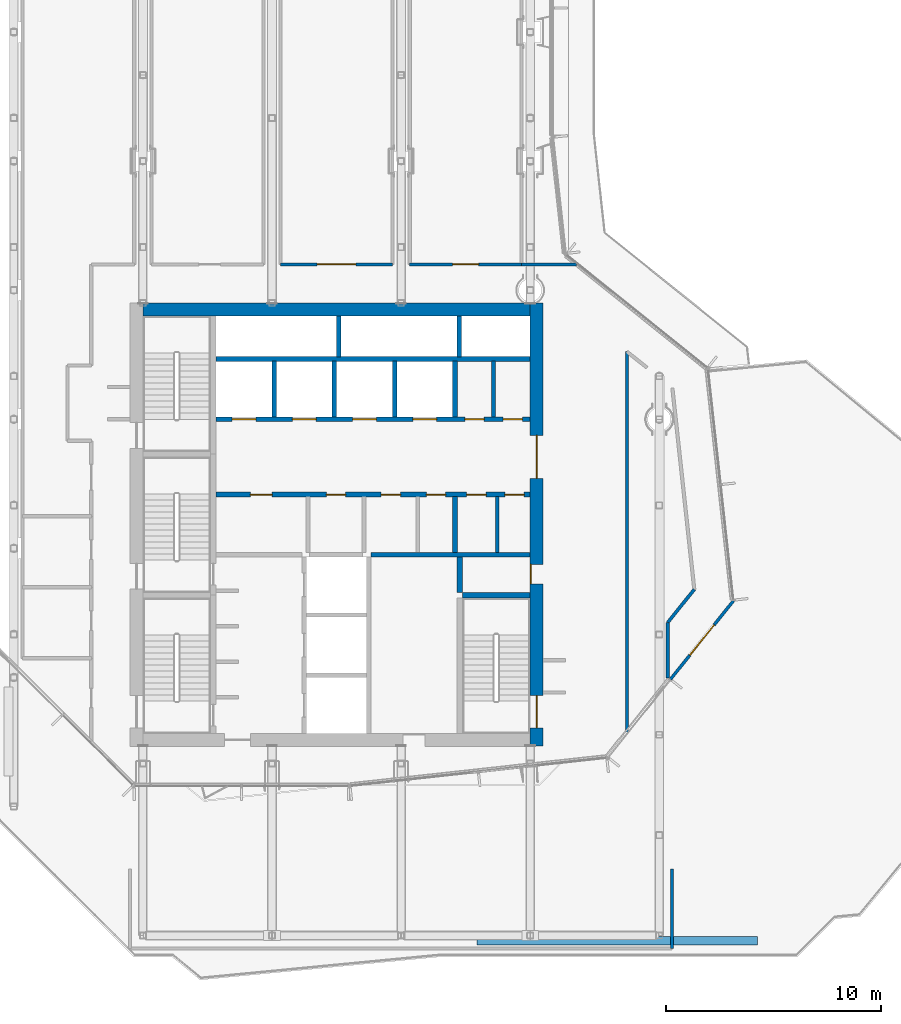
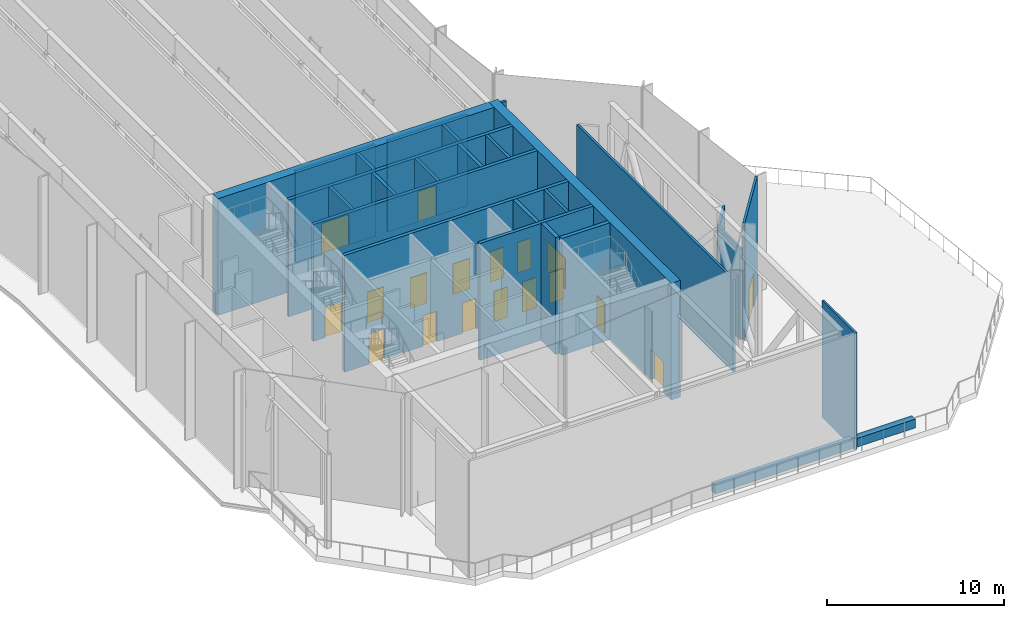
# One storey, part 13 of 22: 26 walls, 18 doors, 18 openings.
"""IFC4 building model written with IfcOpenShell, lengths in metres."""

from ifc_helpers import new_model, si_unit, direction, frame, frame_2d, origin, place, context, subcontext, project, spatial, rectangle, extrude, material, layer, layer_set, type_object, element, fill, save


model = new_model("IFC4")

# Units and contexts
model_context = context("Model", 3, precision=1e-05, world=origin(), true_north=direction((0.0, 1.0)))
body_context = subcontext(model_context, "Body", "Model", "MODEL_VIEW")
ifc_project = project(units=[si_unit("LENGTHUNIT", "METRE"), si_unit("AREAUNIT", "SQUARE_METRE"), si_unit("VOLUMEUNIT", "CUBIC_METRE"), si_unit("PLANEANGLEUNIT", "RADIAN"), si_unit("MASSUNIT", "GRAM", prefix="KILO")], contexts=[model_context])

# Site, building, storey
site_placement = place(None, origin())
site = spatial("IfcSite", under=ifc_project, at=site_placement, CompositionType="ELEMENT")
building_placement = place(site_placement, origin())
building = spatial("IfcBuilding", under=site, at=building_placement, Name="Welwitschia Terrace Campus", CompositionType="ELEMENT")
storey_placement = place(building_placement, frame((0.0, 0.0, 197.0)))
storey = spatial("IfcBuildingStorey", under=building, at=storey_placement, Name="L44", CompositionType="ELEMENT", Elevation=197.0)

# Wall, opening, door
ifc_material_1 = material(Name="Concrete C40/50", Category="concrete")
ifc_layer_1 = layer(ifc_material_1, 0.139892578125)
ifc_layer_set_1 = layer_set([ifc_layer_1], Name="Concrete C40/50")
wall_type_1 = type_object("IfcWallType", Name="Clad wall 140", PredefinedType="SOLIDWALL", material=ifc_layer_set_1)
wall_1_placement = place(storey_placement, frame((30.521484375, 7.912353515625, 0.0), z_axis=(0.0, 0.0, 1.0), x_axis=(0.625916397506, 0.779890161069, 0.0)))
wall_1 = element("IfcWall", 1, at=wall_1_placement, inside=storey, type_object=wall_type_1, Name="Clad wall L44.terrace door 0", PredefinedType="SOLIDWALL", context=body_context, shape_type="SweptSolid", body=[
    extrude(rectangle(XDim=4.677490234375, YDim=0.139892578125, at=frame_2d((2.3388671875, 0.0))), origin(), (0.0, 0.0, 1.0), 8.050048828125),
])
opening_1_placement = place(wall_1_placement, frame((1.438720703125, 0.0, 0.0)))
opening_1 = element("IfcOpeningElement", 2, at=opening_1_placement, cuts=wall_1, Name="Opening DE3", PredefinedType="OPENING", context=body_context, shape_type="SweptSolid", body=[
    extrude(rectangle(XDim=1.800048828125, YDim=2.39990234375, at=frame_2d((0.89990234375, 1.199951171875))), frame((0.0, 0.079833984375, 0.0), z_axis=(0.0, -1.0, 0.0), x_axis=(1.0, 0.0, 0.0)), (0.0, 0.0, 1.0), 0.159912109375),
])
ifc_material_2 = material(Name="Bronze anodised aluminium and glass", Category="aluminium")
door_type_1 = type_object("IfcDoorType", Name="Terrace door 1800x2400", OperationType="DOUBLE_DOOR_DOUBLE_SWING", PredefinedType="DOOR", material=ifc_material_2)
door_1_placement = place(opening_1_placement, origin())
door_1 = element("IfcDoor", 3, at=door_1_placement, inside=storey, type_object=door_type_1, Name="Door L44:T0", OperationType="DOUBLE_DOOR_DOUBLE_SWING", OverallHeight=2.39990234375, OverallWidth=1.800048828125, PredefinedType="DOOR", context=body_context, shape_type="SweptSolid", body=[
    extrude(rectangle(XDim=1.800048828125, YDim=2.39990234375, at=frame_2d((0.89990234375, 1.199951171875))), frame((0.0, 0.02490234375, 0.0), z_axis=(0.0, -1.0, 0.0), x_axis=(1.0, 0.0, 0.0)), (0.0, 0.0, 1.0), 0.050048828125),
])
fill(opening_1, door_1)

# Walls
wall_2_placement = place(storey_placement, frame((30.60009765625, -0.89990234375, 0.0), z_axis=(0.0, 0.0, 1.0), x_axis=(0.0, -1.0, 0.0)))
element("IfcWall", 4, at=wall_2_placement, inside=storey, type_object=wall_type_1, Name="Clad wall L44.tip fascia Sb1 e", PredefinedType="SOLIDWALL", context=body_context, shape_type="SweptSolid", body=[
    extrude(rectangle(XDim=3.7001953125, YDim=0.139892578125, at=frame_2d((1.85009765625, 0.0))), origin(), (0.0, 0.0, 1.0), 8.050048828125),
])
ifc_material_3 = material(Name="Concrete C32/40", Category="concrete")
ifc_layer_2 = layer(ifc_material_3, 0.175048828125)
ifc_layer_set_2 = layer_set([ifc_layer_2], Name="Concrete C32/40")
wall_type_2 = type_object("IfcWallType", Name="Core partition 175 Concrete C32/40", PredefinedType="PARTITIONING", material=ifc_layer_set_2)
for number, where, z_axis, x_axis, name in (
    (5, (22.300048828125, 20.10009765625, 0.0), (0.0, 0.0, 1.0), (0.0, 1.0, 0.0), "Core partition"),
    (6, (22.469970703125, 13.800048828125, 0.0), (0.0, 0.0, 1.0), (0.0, 1.0, 0.0), "Core partition"),
):
    element("IfcWall", number, at=place(storey_placement, frame(where, z_axis=z_axis, x_axis=x_axis)), inside=storey, type_object=wall_type_2, Name=name, PredefinedType="PARTITIONING", context=body_context, shape_type="SweptSolid", body=[
        extrude(rectangle(XDim=2.599853515625, YDim=0.175048828125, at=frame_2d((1.2998046875, 0.0))), origin(), (0.0, 0.0, 1.0), 8.050048828125),
    ])
ifc_material_4 = material(Name="Concrete C32/40", Category="concrete")
ifc_layer_3 = layer(ifc_material_4, 0.22509765625)
ifc_layer_set_3 = layer_set([ifc_layer_3], Name="Concrete C32/40")
wall_type_3 = type_object("IfcWallType", Name="Core partition 225 Concrete C32/40", PredefinedType="PARTITIONING", material=ifc_layer_set_3)
wall_3_placement = place(storey_placement, frame((16.60009765625, 13.699951171875, 0.0), z_axis=(0.0, 0.0, 1.0), x_axis=(1.0, 0.0, 0.0)))
element("IfcWall", 7, at=wall_3_placement, inside=storey, type_object=wall_type_3, Name="Core partition", PredefinedType="PARTITIONING", context=body_context, shape_type="SweptSolid", body=[
    extrude(rectangle(XDim=7.39990234375, YDim=0.22509765625, at=frame_2d((3.699951171875, 0.0))), origin(), (0.0, 0.0, 1.0), 8.050048828125),
])

# Wall, openings, doors
wall_4_placement = place(storey_placement, frame((9.39990234375, 16.5, 0.0), z_axis=(0.0, 0.0, 1.0), x_axis=(1.0, 0.0, 0.0)))
wall_4 = element("IfcWall", 8, at=wall_4_placement, inside=storey, type_object=wall_type_3, Name="Core partition", PredefinedType="PARTITIONING", context=body_context, shape_type="SweptSolid", body=[
    extrude(rectangle(XDim=14.60009765625, YDim=0.22509765625, at=frame_2d((7.300048828125, 0.0))), origin(), (0.0, 0.0, 1.0), 8.050048828125),
])
opening_2_placement = place(wall_4_placement, frame((1.60009765625, 0.0, 0.0)))
opening_2 = element("IfcOpeningElement", 9, at=opening_2_placement, cuts=wall_4, Name="Opening DR10", PredefinedType="OPENING", context=body_context, shape_type="SweptSolid", body=[
    extrude(rectangle(XDim=1.0, YDim=2.10009765625, at=frame_2d((0.5, 1.050048828125))), frame((0.0, 0.12255859375, 0.0), z_axis=(0.0, -1.0, 0.0), x_axis=(1.0, 0.0, 0.0)), (0.0, 0.0, 1.0), 0.2451171875),
])
opening_3_placement = place(wall_4_placement, frame((5.125, 0.0, 0.0)))
opening_3 = element("IfcOpeningElement", 10, at=opening_3_placement, cuts=wall_4, Name="Opening DR09", PredefinedType="OPENING", context=body_context, shape_type="SweptSolid", body=[
    extrude(rectangle(XDim=0.89990234375, YDim=2.10009765625, at=frame_2d((0.449951171875, 1.050048828125))), frame((0.0, 0.12255859375, 0.0), z_axis=(0.0, -1.0, 0.0), x_axis=(1.0, 0.0, 0.0)), (0.0, 0.0, 1.0), 0.2451171875),
])
opening_4_placement = place(wall_4_placement, frame((7.675048828125, 0.0, 0.0)))
opening_4 = element("IfcOpeningElement", 11, at=opening_4_placement, cuts=wall_4, Name="Opening DR09", PredefinedType="OPENING", context=body_context, shape_type="SweptSolid", body=[
    extrude(rectangle(XDim=0.89990234375, YDim=2.10009765625, at=frame_2d((0.449951171875, 1.050048828125))), frame((0.0, 0.12255859375, 0.0), z_axis=(0.0, -1.0, 0.0), x_axis=(1.0, 0.0, 0.0)), (0.0, 0.0, 1.0), 0.2451171875),
])
opening_5_placement = place(wall_4_placement, frame((9.77490234375, 0.0, 0.0)))
opening_5 = element("IfcOpeningElement", 12, at=opening_5_placement, cuts=wall_4, Name="Opening DR09", PredefinedType="OPENING", context=body_context, shape_type="SweptSolid", body=[
    extrude(rectangle(XDim=0.89990234375, YDim=2.10009765625, at=frame_2d((0.449951171875, 1.050048828125))), frame((0.0, 0.12255859375, 0.0), z_axis=(0.0, -1.0, 0.0), x_axis=(1.0, 0.0, 0.0)), (0.0, 0.0, 1.0), 0.2451171875),
])
opening_6_placement = place(wall_4_placement, frame((11.6474609375, 0.0, 0.0)))
opening_6 = element("IfcOpeningElement", 13, at=opening_6_placement, cuts=wall_4, Name="Opening DR09", PredefinedType="OPENING", context=body_context, shape_type="SweptSolid", body=[
    extrude(rectangle(XDim=0.89990234375, YDim=2.10009765625, at=frame_2d((0.449951171875, 1.050048828125))), frame((0.0, 0.12255859375, 0.0), z_axis=(0.0, -1.0, 0.0), x_axis=(1.0, 0.0, 0.0)), (0.0, 0.0, 1.0), 0.2451171875),
])
opening_7_placement = place(wall_4_placement, frame((13.422607421875, 0.0, 0.0)))
opening_7 = element("IfcOpeningElement", 14, at=opening_7_placement, cuts=wall_4, Name="Opening DR09", PredefinedType="OPENING", context=body_context, shape_type="SweptSolid", body=[
    extrude(rectangle(XDim=0.89990234375, YDim=2.10009765625, at=frame_2d((0.449951171875, 1.050048828125))), frame((0.0, 0.12255859375, 0.0), z_axis=(0.0, -1.0, 0.0), x_axis=(1.0, 0.0, 0.0)), (0.0, 0.0, 1.0), 0.2451171875),
])
ifc_material_5 = material(Name="Steel S275", Category="steel")
door_type_2 = type_object("IfcDoorType", Name="Core door DR09", OperationType="SINGLE_SWING_LEFT", PredefinedType="DOOR", material=ifc_material_5)
door_2_placement = place(opening_3_placement, origin())
door_2 = element("IfcDoor", 15, at=door_2_placement, inside=storey, type_object=door_type_2, Name="Door BAYL2-D", OperationType="SINGLE_SWING_LEFT", OverallHeight=2.10009765625, OverallWidth=0.89990234375, PredefinedType="DOOR", context=body_context, shape_type="SweptSolid", body=[
    extrude(rectangle(XDim=0.89990234375, YDim=2.10009765625, at=frame_2d((0.449951171875, 1.050048828125))), frame((0.0, 0.02490234375, 0.0), z_axis=(0.0, -1.0, 0.0), x_axis=(1.0, 0.0, 0.0)), (0.0, 0.0, 1.0), 0.050048828125),
])
fill(opening_3, door_2)
door_3_placement = place(opening_4_placement, origin())
door_3 = element("IfcDoor", 16, at=door_3_placement, inside=storey, type_object=door_type_2, Name="Door BAYL3-D", OperationType="SINGLE_SWING_RIGHT", OverallHeight=2.10009765625, OverallWidth=0.89990234375, PredefinedType="DOOR", context=body_context, shape_type="SweptSolid", body=[
    extrude(rectangle(XDim=0.89990234375, YDim=2.10009765625, at=frame_2d((0.449951171875, 1.050048828125))), frame((0.0, 0.02490234375, 0.0), z_axis=(0.0, -1.0, 0.0), x_axis=(1.0, 0.0, 0.0)), (0.0, 0.0, 1.0), 0.050048828125),
])
fill(opening_4, door_3)
door_4_placement = place(opening_5_placement, origin())
door_4 = element("IfcDoor", 17, at=door_4_placement, inside=storey, type_object=door_type_2, Name="Door BAYL4-D", OperationType="SINGLE_SWING_RIGHT", OverallHeight=2.10009765625, OverallWidth=0.89990234375, PredefinedType="DOOR", context=body_context, shape_type="SweptSolid", body=[
    extrude(rectangle(XDim=0.89990234375, YDim=2.10009765625, at=frame_2d((0.449951171875, 1.050048828125))), frame((0.0, 0.02490234375, 0.0), z_axis=(0.0, -1.0, 0.0), x_axis=(1.0, 0.0, 0.0)), (0.0, 0.0, 1.0), 0.050048828125),
])
fill(opening_5, door_4)
door_5_placement = place(opening_6_placement, origin())
door_5 = element("IfcDoor", 18, at=door_5_placement, inside=storey, type_object=door_type_2, Name="Door EL1-D", OperationType="SINGLE_SWING_RIGHT", OverallHeight=2.10009765625, OverallWidth=0.89990234375, PredefinedType="DOOR", context=body_context, shape_type="SweptSolid", body=[
    extrude(rectangle(XDim=0.89990234375, YDim=2.10009765625, at=frame_2d((0.449951171875, 1.050048828125))), frame((0.0, 0.02490234375, 0.0), z_axis=(0.0, -1.0, 0.0), x_axis=(1.0, 0.0, 0.0)), (0.0, 0.0, 1.0), 0.050048828125),
])
fill(opening_6, door_5)
door_6_placement = place(opening_7_placement, origin())
door_6 = element("IfcDoor", 19, at=door_6_placement, inside=storey, type_object=door_type_2, Name="Door EL2-D", OperationType="SINGLE_SWING_RIGHT", OverallHeight=2.10009765625, OverallWidth=0.89990234375, PredefinedType="DOOR", context=body_context, shape_type="SweptSolid", body=[
    extrude(rectangle(XDim=0.89990234375, YDim=2.10009765625, at=frame_2d((0.449951171875, 1.050048828125))), frame((0.0, 0.02490234375, 0.0), z_axis=(0.0, -1.0, 0.0), x_axis=(1.0, 0.0, 0.0)), (0.0, 0.0, 1.0), 0.050048828125),
])
fill(opening_7, door_6)
ifc_material_6 = material(Name="Steel S275", Category="steel")
door_type_3 = type_object("IfcDoorType", Name="Core door DR10", OperationType="SINGLE_SWING_LEFT", PredefinedType="DOOR", material=ifc_material_6)
door_7_placement = place(opening_2_placement, origin())
door_7 = element("IfcDoor", 20, at=door_7_placement, inside=storey, type_object=door_type_3, Name="Door BAYL1-D", OperationType="SINGLE_SWING_LEFT", OverallHeight=2.10009765625, OverallWidth=1.0, PredefinedType="DOOR", context=body_context, shape_type="SweptSolid", body=[
    extrude(rectangle(XDim=1.0, YDim=2.10009765625, at=frame_2d((0.5, 1.050048828125))), frame((0.0, 0.02490234375, 0.0), z_axis=(0.0, -1.0, 0.0), x_axis=(1.0, 0.0, 0.0)), (0.0, 0.0, 1.0), 0.050048828125),
])
fill(opening_2, door_7)

wall_5_placement = place(storey_placement, frame((24.0, 20.0, 0.0), z_axis=(0.0, 0.0, 1.0), x_axis=(-1.0, 0.0, 0.0)))
wall_5 = element("IfcWall", 21, at=wall_5_placement, inside=storey, type_object=wall_type_3, Name="Shaft wall", PredefinedType="PARTITIONING", context=body_context, shape_type="SweptSolid", body=[
    extrude(rectangle(XDim=14.60009765625, YDim=0.22509765625, at=frame_2d((7.300048828125, 0.0))), origin(), (0.0, 0.0, 1.0), 8.050048828125),
])
opening_8_placement = place(wall_5_placement, frame((12.75, 0.0, 0.0)))
opening_8 = element("IfcOpeningElement", 22, at=opening_8_placement, cuts=wall_5, Name="Opening LD", PredefinedType="OPENING", context=body_context, shape_type="SweptSolid", body=[
    extrude(rectangle(XDim=1.10009765625, YDim=2.10009765625, at=frame_2d((0.550048828125, 1.050048828125))), frame((0.0, 0.12255859375, 0.0), z_axis=(0.0, -1.0, 0.0), x_axis=(1.0, 0.0, 0.0)), (0.0, 0.0, 1.0), 0.2451171875),
])
opening_9_placement = place(wall_5_placement, frame((9.949951171875, 0.0, 0.0)))
opening_9 = element("IfcOpeningElement", 23, at=opening_9_placement, cuts=wall_5, Name="Opening LD", PredefinedType="OPENING", context=body_context, shape_type="SweptSolid", body=[
    extrude(rectangle(XDim=1.10009765625, YDim=2.10009765625, at=frame_2d((0.550048828125, 1.050048828125))), frame((0.0, 0.12255859375, 0.0), z_axis=(0.0, -1.0, 0.0), x_axis=(1.0, 0.0, 0.0)), (0.0, 0.0, 1.0), 0.2451171875),
])
opening_10_placement = place(wall_5_placement, frame((7.14990234375, 0.0, 0.0)))
opening_10 = element("IfcOpeningElement", 24, at=opening_10_placement, cuts=wall_5, Name="Opening LD", PredefinedType="OPENING", context=body_context, shape_type="SweptSolid", body=[
    extrude(rectangle(XDim=1.10009765625, YDim=2.10009765625, at=frame_2d((0.550048828125, 1.050048828125))), frame((0.0, 0.12255859375, 0.0), z_axis=(0.0, -1.0, 0.0), x_axis=(1.0, 0.0, 0.0)), (0.0, 0.0, 1.0), 0.2451171875),
])
opening_11_placement = place(wall_5_placement, frame((4.35009765625, 0.0, 0.0)))
opening_11 = element("IfcOpeningElement", 25, at=opening_11_placement, cuts=wall_5, Name="Opening LD", PredefinedType="OPENING", context=body_context, shape_type="SweptSolid", body=[
    extrude(rectangle(XDim=1.10009765625, YDim=2.10009765625, at=frame_2d((0.550048828125, 1.050048828125))), frame((0.0, 0.12255859375, 0.0), z_axis=(0.0, -1.0, 0.0), x_axis=(1.0, 0.0, 0.0)), (0.0, 0.0, 1.0), 0.2451171875),
])
opening_12_placement = place(wall_5_placement, frame((2.137451171875, 0.0, 0.0)))
opening_12 = element("IfcOpeningElement", 26, at=opening_12_placement, cuts=wall_5, Name="Opening DR09", PredefinedType="OPENING", context=body_context, shape_type="SweptSolid", body=[
    extrude(rectangle(XDim=0.89990234375, YDim=2.10009765625, at=frame_2d((0.449951171875, 1.050048828125))), frame((0.0, 0.12255859375, 0.0), z_axis=(0.0, -1.0, 0.0), x_axis=(1.0, 0.0, 0.0)), (0.0, 0.0, 1.0), 0.2451171875),
])
opening_13_placement = place(wall_5_placement, frame((0.362548828125, 0.0, 0.0)))
opening_13 = element("IfcOpeningElement", 27, at=opening_13_placement, cuts=wall_5, Name="Opening DR09", PredefinedType="OPENING", context=body_context, shape_type="SweptSolid", body=[
    extrude(rectangle(XDim=0.89990234375, YDim=2.10009765625, at=frame_2d((0.449951171875, 1.050048828125))), frame((0.0, 0.12255859375, 0.0), z_axis=(0.0, -1.0, 0.0), x_axis=(1.0, 0.0, 0.0)), (0.0, 0.0, 1.0), 0.2451171875),
])
door_8_placement = place(opening_12_placement, origin())
door_8 = element("IfcDoor", 28, at=door_8_placement, inside=storey, type_object=door_type_2, Name="Door EH1-D", OperationType="SINGLE_SWING_LEFT", OverallHeight=2.10009765625, OverallWidth=0.89990234375, PredefinedType="DOOR", context=body_context, shape_type="SweptSolid", body=[
    extrude(rectangle(XDim=0.89990234375, YDim=2.10009765625, at=frame_2d((0.449951171875, 1.050048828125))), frame((0.0, 0.02490234375, 0.0), z_axis=(0.0, -1.0, 0.0), x_axis=(1.0, 0.0, 0.0)), (0.0, 0.0, 1.0), 0.050048828125),
])
fill(opening_12, door_8)
door_9_placement = place(opening_13_placement, origin())
door_9 = element("IfcDoor", 29, at=door_9_placement, inside=storey, type_object=door_type_2, Name="Door EH2-D", OperationType="SINGLE_SWING_LEFT", OverallHeight=2.10009765625, OverallWidth=0.89990234375, PredefinedType="DOOR", context=body_context, shape_type="SweptSolid", body=[
    extrude(rectangle(XDim=0.89990234375, YDim=2.10009765625, at=frame_2d((0.449951171875, 1.050048828125))), frame((0.0, 0.02490234375, 0.0), z_axis=(0.0, -1.0, 0.0), x_axis=(1.0, 0.0, 0.0)), (0.0, 0.0, 1.0), 0.050048828125),
])
fill(opening_13, door_9)
ifc_material_7 = material(Name="Stainless steel 304", Category="steel")
door_type_4 = type_object("IfcDoorType", Name="Lift landing door", OperationType="DOUBLE_DOOR_SLIDING", PredefinedType="DOOR", material=ifc_material_7)
door_10_placement = place(opening_8_placement, origin())
door_10 = element("IfcDoor", 30, at=door_10_placement, inside=storey, type_object=door_type_4, Name="Landing door HR1", OperationType="DOUBLE_DOOR_SLIDING", OverallHeight=2.10009765625, OverallWidth=1.10009765625, PredefinedType="DOOR", context=body_context, shape_type="SweptSolid", body=[
    extrude(rectangle(XDim=1.10009765625, YDim=2.10009765625, at=frame_2d((0.550048828125, 1.050048828125))), frame((0.0, 0.02490234375, 0.0), z_axis=(0.0, -1.0, 0.0), x_axis=(1.0, 0.0, 0.0)), (0.0, 0.0, 1.0), 0.050048828125),
])
fill(opening_8, door_10)
door_11_placement = place(opening_9_placement, origin())
door_11 = element("IfcDoor", 31, at=door_11_placement, inside=storey, type_object=door_type_4, Name="Landing door HR2", OperationType="DOUBLE_DOOR_SLIDING", OverallHeight=2.10009765625, OverallWidth=1.10009765625, PredefinedType="DOOR", context=body_context, shape_type="SweptSolid", body=[
    extrude(rectangle(XDim=1.10009765625, YDim=2.10009765625, at=frame_2d((0.550048828125, 1.050048828125))), frame((0.0, 0.02490234375, 0.0), z_axis=(0.0, -1.0, 0.0), x_axis=(1.0, 0.0, 0.0)), (0.0, 0.0, 1.0), 0.050048828125),
])
fill(opening_9, door_11)
door_12_placement = place(opening_10_placement, origin())
door_12 = element("IfcDoor", 32, at=door_12_placement, inside=storey, type_object=door_type_4, Name="Landing door HR3", OperationType="DOUBLE_DOOR_SLIDING", OverallHeight=2.10009765625, OverallWidth=1.10009765625, PredefinedType="DOOR", context=body_context, shape_type="SweptSolid", body=[
    extrude(rectangle(XDim=1.10009765625, YDim=2.10009765625, at=frame_2d((0.550048828125, 1.050048828125))), frame((0.0, 0.02490234375, 0.0), z_axis=(0.0, -1.0, 0.0), x_axis=(1.0, 0.0, 0.0)), (0.0, 0.0, 1.0), 0.050048828125),
])
fill(opening_10, door_12)
door_13_placement = place(opening_11_placement, origin())
door_13 = element("IfcDoor", 33, at=door_13_placement, inside=storey, type_object=door_type_4, Name="Landing door HR4", OperationType="DOUBLE_DOOR_SLIDING", OverallHeight=2.10009765625, OverallWidth=1.10009765625, PredefinedType="DOOR", context=body_context, shape_type="SweptSolid", body=[
    extrude(rectangle(XDim=1.10009765625, YDim=2.10009765625, at=frame_2d((0.550048828125, 1.050048828125))), frame((0.0, 0.02490234375, 0.0), z_axis=(0.0, -1.0, 0.0), x_axis=(1.0, 0.0, 0.0)), (0.0, 0.0, 1.0), 0.050048828125),
])
fill(opening_11, door_13)

# Walls
wall_6_placement = place(storey_placement, frame((9.39990234375, 22.800048828125, 0.0), z_axis=(0.0, 0.0, 1.0), x_axis=(1.0, 0.0, 0.0)))
element("IfcWall", 34, at=wall_6_placement, inside=storey, type_object=wall_type_3, Name="Shaft wall", PredefinedType="PARTITIONING", context=body_context, shape_type="SweptSolid", body=[
    extrude(rectangle(XDim=14.60009765625, YDim=0.22509765625, at=frame_2d((7.300048828125, 0.0))), origin(), (0.0, 0.0, 1.0), 8.050048828125),
])
for number, where, z_axis, x_axis, name in (
    (35, (20.5, 13.800048828125, 0.0), (0.0, 0.0, 1.0), (0.0, 1.0, 0.0), "Core partition"),
    (36, (20.5, 20.10009765625, 0.0), (0.0, 0.0, 1.0), (0.0, 1.0, 0.0), "Shaft wall"),
):
    element("IfcWall", number, at=place(storey_placement, frame(where, z_axis=z_axis, x_axis=x_axis)), inside=storey, type_object=wall_type_3, Name=name, PredefinedType="PARTITIONING", context=body_context, shape_type="SweptSolid", body=[
        extrude(rectangle(XDim=2.599853515625, YDim=0.22509765625, at=frame_2d((1.2998046875, 0.0))), origin(), (0.0, 0.0, 1.0), 8.050048828125),
    ])
ifc_material_8 = material(Name="Concrete C32/40", Category="concrete")
ifc_layer_4 = layer(ifc_material_8, 0.27490234375)
ifc_layer_set_4 = layer_set([ifc_layer_4], Name="Concrete C32/40")
wall_type_4 = type_object("IfcWallType", Name="Core partition 275 Concrete C32/40", PredefinedType="PARTITIONING", material=ifc_layer_set_4)
wall_7_placement = place(storey_placement, frame((20.72509765625, 11.949951171875, 0.0), z_axis=(0.0, 0.0, 1.0), x_axis=(0.0, 1.0, 0.0)))
element("IfcWall", 37, at=wall_7_placement, inside=storey, type_object=wall_type_4, Name="Core partition", PredefinedType="PARTITIONING", context=body_context, shape_type="SweptSolid", body=[
    extrude(rectangle(XDim=1.650146484375, YDim=0.27490234375, at=frame_2d((0.8251953125, 0.0))), origin(), (0.0, 0.0, 1.0), 8.050048828125),
])
ifc_material_9 = material(Name="Concrete C50/60", Category="concrete")
ifc_layer_5 = layer(ifc_material_9, 0.199951171875)
ifc_layer_set_5 = layer_set([ifc_layer_5], Name="Concrete C50/60")
wall_type_5 = type_object("IfcWallType", Name="Core wall 200 Concrete C50/60", PredefinedType="SHEAR", material=ifc_layer_set_5)
for number, where, z_axis, x_axis, name in (
    (38, (15.10009765625, 22.89990234375, 0.0), (0.0, 0.0, 1.0), (0.0, 1.0, 0.0), "Core wall"),
    (39, (20.699951171875, 22.89990234375, 0.0), (0.0, 0.0, 1.0), (0.0, 1.0, 0.0), "Core wall"),
):
    element("IfcWall", number, at=place(storey_placement, frame(where, z_axis=z_axis, x_axis=x_axis)), inside=storey, type_object=wall_type_5, Name=name, PredefinedType="SHEAR", context=body_context, shape_type="SweptSolid", body=[
        extrude(rectangle(XDim=1.900146484375, YDim=0.199951171875, at=frame_2d((0.9501953125, 0.0))), origin(), (0.0, 0.0, 1.0), 8.050048828125),
    ])
ifc_material_10 = material(Name="Concrete C50/60", Category="concrete")
ifc_layer_6 = layer(ifc_material_10, 0.25)
ifc_layer_set_6 = layer_set([ifc_layer_6], Name="Concrete C50/60")
wall_type_6 = type_object("IfcWallType", Name="Core wall 250 Concrete C50/60", PredefinedType="SHEAR", material=ifc_layer_set_6)
wall_8_placement = place(storey_placement, frame((20.85009765625, 11.824951171875, 0.0), z_axis=(0.0, 0.0, 1.0), x_axis=(1.0, 0.0, 0.0)))
element("IfcWall", 40, at=wall_8_placement, inside=storey, type_object=wall_type_6, Name="Core wall", PredefinedType="SHEAR", context=body_context, shape_type="SweptSolid", body=[
    extrude(rectangle(XDim=3.14990234375, YDim=0.25, at=frame_2d((1.574951171875, 0.0))), origin(), (0.0, 0.0, 1.0), 8.050048828125),
])

# Wall, openings, doors
ifc_material_11 = material(Name="Concrete C60/75", Category="concrete")
ifc_layer_7 = layer(ifc_material_11, 0.60009765625)
ifc_layer_set_7 = layer_set([ifc_layer_7], Name="Concrete C60/75")
wall_type_7 = type_object("IfcWallType", Name="Core wall 600 Concrete C60/75", PredefinedType="SHEAR", material=ifc_layer_set_7)
wall_9_placement = place(storey_placement, frame((24.300048828125, 25.39990234375, 0.0), z_axis=(0.0, 0.0, 1.0), x_axis=(0.0, -1.0, 0.0)))
wall_9 = element("IfcWall", 41, at=wall_9_placement, inside=storey, type_object=wall_type_7, Name="Core outer wall", PredefinedType="SHEAR", context=body_context, shape_type="SweptSolid", body=[
    extrude(rectangle(XDim=20.599853515625, YDim=0.60009765625, at=frame_2d((10.2998046875, 0.0))), origin(), (0.0, 0.0, 1.0), 8.050048828125),
])
opening_14_placement = place(wall_9_placement, frame((18.25, 0.0, 0.0)))
opening_14 = element("IfcOpeningElement", 42, at=opening_14_placement, cuts=wall_9, Name="Opening DS15", PredefinedType="OPENING", context=body_context, shape_type="SweptSolid", body=[
    extrude(rectangle(XDim=1.5, YDim=2.10009765625, at=frame_2d((0.75, 1.050048828125))), frame((0.0, 0.31005859375, 0.0), z_axis=(0.0, -1.0, 0.0), x_axis=(1.0, 0.0, 0.0)), (0.0, 0.0, 1.0), 0.6201171875),
])
opening_15_placement = place(wall_9_placement, frame((12.14990234375, 0.0, 0.0)))
opening_15 = element("IfcOpeningElement", 43, at=opening_15_placement, cuts=wall_9, Name="Opening DR09", PredefinedType="OPENING", context=body_context, shape_type="SweptSolid", body=[
    extrude(rectangle(XDim=0.89990234375, YDim=2.10009765625, at=frame_2d((0.449951171875, 1.050048828125))), frame((0.0, 0.31005859375, 0.0), z_axis=(0.0, -1.0, 0.0), x_axis=(1.0, 0.0, 0.0)), (0.0, 0.0, 1.0), 0.6201171875),
])
opening_16_placement = place(wall_9_placement, frame((6.14990234375, 0.0, 0.0)))
opening_16 = element("IfcOpeningElement", 44, at=opening_16_placement, cuts=wall_9, Name="Opening DL20", PredefinedType="OPENING", context=body_context, shape_type="SweptSolid", body=[
    extrude(rectangle(XDim=2.0, YDim=2.10009765625, at=frame_2d((1.0, 1.050048828125))), frame((0.0, 0.31005859375, 0.0), z_axis=(0.0, -1.0, 0.0), x_axis=(1.0, 0.0, 0.0)), (0.0, 0.0, 1.0), 0.6201171875),
])
ifc_material_12 = material(Name="Steel S275", Category="steel")
door_type_5 = type_object("IfcDoorType", Name="Core door DL20", OperationType="DOUBLE_DOOR_SINGLE_SWING", PredefinedType="DOOR", material=ifc_material_12)
door_14_placement = place(opening_16_placement, origin())
door_14 = element("IfcDoor", 45, at=door_14_placement, inside=storey, type_object=door_type_5, Name="Door LOBBY-out", OperationType="DOUBLE_DOOR_SINGLE_SWING", OverallHeight=2.10009765625, OverallWidth=2.0, PredefinedType="DOOR", context=body_context, shape_type="SweptSolid", body=[
    extrude(rectangle(XDim=2.0, YDim=2.10009765625, at=frame_2d((1.0, 1.050048828125))), frame((0.0, 0.02490234375, 0.0), z_axis=(0.0, -1.0, 0.0), x_axis=(1.0, 0.0, 0.0)), (0.0, 0.0, 1.0), 0.050048828125),
])
fill(opening_16, door_14)
door_15_placement = place(opening_15_placement, origin())
door_15 = element("IfcDoor", 46, at=door_15_placement, inside=storey, type_object=door_type_2, Name="Door F1B-out", OperationType="SINGLE_SWING_RIGHT", OverallHeight=2.10009765625, OverallWidth=0.89990234375, PredefinedType="DOOR", context=body_context, shape_type="SweptSolid", body=[
    extrude(rectangle(XDim=0.89990234375, YDim=2.10009765625, at=frame_2d((0.449951171875, 1.050048828125))), frame((0.0, -0.23974609375, 0.0), z_axis=(0.0, -1.0, 0.0), x_axis=(1.0, 0.0, 0.0)), (0.0, 0.0, 1.0), 0.050048828125),
])
fill(opening_15, door_15)
ifc_material_13 = material(Name="Steel S275", Category="steel")
door_type_6 = type_object("IfcDoorType", Name="Core door DS15", OperationType="DOUBLE_DOOR_SINGLE_SWING", PredefinedType="DOOR", material=ifc_material_13)
door_16_placement = place(opening_14_placement, origin())
door_16 = element("IfcDoor", 47, at=door_16_placement, inside=storey, type_object=door_type_6, Name="Door S2-out", OperationType="DOUBLE_DOOR_SINGLE_SWING", OverallHeight=2.10009765625, OverallWidth=1.5, PredefinedType="DOOR", context=body_context, shape_type="SweptSolid", body=[
    extrude(rectangle(XDim=1.5, YDim=2.10009765625, at=frame_2d((0.75, 1.050048828125))), frame((0.0, 0.02490234375, 0.0), z_axis=(0.0, -1.0, 0.0), x_axis=(1.0, 0.0, 0.0)), (0.0, 0.0, 1.0), 0.050048828125),
])
fill(opening_14, door_16)

# Wall
wall_10_placement = place(storey_placement, frame((6.0, 25.10009765625, 0.0), z_axis=(0.0, 0.0, 1.0), x_axis=(1.0, 0.0, 0.0)))
element("IfcWall", 48, at=wall_10_placement, inside=storey, type_object=wall_type_7, Name="Core outer wall", PredefinedType="SHEAR", context=body_context, shape_type="SweptSolid", body=[
    extrude(rectangle(XDim=18.0, YDim=0.60009765625, at=frame_2d((9.0, 0.0))), origin(), (0.0, 0.0, 1.0), 8.050048828125),
])

# Wall, opening, door
ifc_material_14 = material(Name="Gypsum board on steel studs", Category="steel")
ifc_layer_8 = layer(ifc_material_14, 0.14990234375)
ifc_layer_set_8 = layer_set([ifc_layer_8], Name="Gypsum board on steel studs")
wall_type_8 = type_object("IfcWallType", Name="Corridor partition 150 EI 30", PredefinedType="PARTITIONING", material=ifc_layer_set_8)
wall_11_placement = place(storey_placement, frame((17.60009765625, 27.199951171875, 0.0), z_axis=(0.0, 0.0, 1.0), x_axis=(-1.0, 0.0, 0.0)))
wall_11 = element("IfcWall", 49, at=wall_11_placement, inside=storey, type_object=wall_type_8, Name="Partition", PredefinedType="PARTITIONING", context=body_context, shape_type="SweptSolid", body=[
    extrude(rectangle(XDim=5.2001953125, YDim=0.14990234375, at=frame_2d((2.60009765625, 0.0))), origin(), (0.0, 0.0, 1.0), 6.330078125),
])
opening_17_placement = place(wall_11_placement, frame((1.699951171875, 0.0, 0.0)))
opening_17 = element("IfcOpeningElement", 50, at=opening_17_placement, cuts=wall_11, Name="Opening DI18", PredefinedType="OPENING", context=body_context, shape_type="SweptSolid", body=[
    extrude(rectangle(XDim=1.800048828125, YDim=2.10009765625, at=frame_2d((0.89990234375, 1.050048828125))), frame((0.0, 0.0849609375, 0.0), z_axis=(0.0, -1.0, 0.0), x_axis=(1.0, 0.0, 0.0)), (0.0, 0.0, 1.0), 0.169921875),
])
ifc_material_15 = material(Name="Timber veneered door", Category="wood")
door_type_7 = type_object("IfcDoorType", Name="Interior door DI18", OperationType="DOUBLE_DOOR_SINGLE_SWING", PredefinedType="DOOR", material=ifc_material_15)
door_17_placement = place(opening_17_placement, origin())
door_17 = element("IfcDoor", 51, at=door_17_placement, inside=storey, type_object=door_type_7, Name="Door L44 856", OperationType="SINGLE_SWING_LEFT", OverallHeight=2.10009765625, OverallWidth=1.800048828125, PredefinedType="DOOR", context=body_context, shape_type="SweptSolid", body=[
    extrude(rectangle(XDim=1.800048828125, YDim=2.10009765625, at=frame_2d((0.89990234375, 1.050048828125))), frame((0.0, 0.02490234375, 0.0), z_axis=(0.0, -1.0, 0.0), x_axis=(1.0, 0.0, 0.0)), (0.0, 0.0, 1.0), 0.050048828125),
])
fill(opening_17, door_17)

wall_12_placement = place(storey_placement, frame((18.39990234375, 27.199951171875, 0.0), z_axis=(0.0, 0.0, 1.0), x_axis=(1.0, 0.0, 0.0)))
wall_12 = element("IfcWall", 52, at=wall_12_placement, inside=storey, type_object=wall_type_8, Name="Partition", PredefinedType="PARTITIONING", context=body_context, shape_type="SweptSolid", body=[
    extrude(rectangle(XDim=5.2001953125, YDim=0.14990234375, at=frame_2d((2.60009765625, 0.0))), origin(), (0.0, 0.0, 1.0), 6.330078125),
])
opening_18_placement = place(wall_12_placement, frame((2.0, 0.0, 0.0)))
opening_18 = element("IfcOpeningElement", 53, at=opening_18_placement, cuts=wall_12, Name="Opening DI12", PredefinedType="OPENING", context=body_context, shape_type="SweptSolid", body=[
    extrude(rectangle(XDim=1.199951171875, YDim=2.10009765625, at=frame_2d((0.60009765625, 1.050048828125))), frame((0.0, 0.0849609375, 0.0), z_axis=(0.0, -1.0, 0.0), x_axis=(1.0, 0.0, 0.0)), (0.0, 0.0, 1.0), 0.169921875),
])
ifc_material_16 = material(Name="Timber veneered door", Category="wood")
door_type_8 = type_object("IfcDoorType", Name="Interior door DI12", OperationType="NOTDEFINED", PredefinedType="DOOR", material=ifc_material_16)
door_18_placement = place(opening_18_placement, origin())
door_18 = element("IfcDoor", 54, at=door_18_placement, inside=storey, type_object=door_type_8, Name="Door L44 857", OperationType="SINGLE_SWING_RIGHT", OverallHeight=2.10009765625, OverallWidth=1.199951171875, PredefinedType="DOOR", context=body_context, shape_type="SweptSolid", body=[
    extrude(rectangle(XDim=1.199951171875, YDim=2.10009765625, at=frame_2d((0.60009765625, 1.050048828125))), frame((0.0, 0.02490234375, 0.0), z_axis=(0.0, -1.0, 0.0), x_axis=(1.0, 0.0, 0.0)), (0.0, 0.0, 1.0), 0.050048828125),
])
fill(opening_18, door_18)

# Walls
wall_13_placement = place(storey_placement, frame((23.60009765625, 27.199951171875, 0.0), z_axis=(0.0, 0.0, 1.0), x_axis=(1.0, 0.0, 0.0)))
element("IfcWall", 55, at=wall_13_placement, inside=storey, type_object=wall_type_8, Name="Partition", PredefinedType="PARTITIONING", context=body_context, shape_type="SweptSolid", body=[
    extrude(rectangle(XDim=2.559814453125, YDim=0.14990234375, at=frame_2d((1.27978515625, 0.0))), origin(), (0.0, 0.0, 1.0), 6.330078125),
])
wall_14_placement = place(storey_placement, frame((28.5, 5.469970703125, 0.0), z_axis=(0.0, 0.0, 1.0), x_axis=(0.0, 1.0, 0.0)))
element("IfcWall", 56, at=wall_14_placement, inside=storey, type_object=wall_type_8, Name="Partition", PredefinedType="PARTITIONING", context=body_context, shape_type="SweptSolid", body=[
    extrude(rectangle(XDim=17.669921875, YDim=0.14990234375, at=frame_2d((8.8349609375, 0.0))), origin(), (0.0, 0.0, 1.0), 6.330078125),
])
wall_15_placement = place(storey_placement, frame((30.39990234375, 7.973876953125, 0.0), z_axis=(0.0, 0.0, 1.0), x_axis=(0.0, 1.0, 0.0)))
element("IfcWall", 57, at=wall_15_placement, inside=storey, type_object=wall_type_8, Name="Partition", PredefinedType="PARTITIONING", context=body_context, shape_type="SweptSolid", body=[
    extrude(rectangle(XDim=2.586181640625, YDim=0.14990234375, at=frame_2d((1.29296875, 0.0))), origin(), (0.0, 0.0, 1.0), 6.330078125),
])
wall_16_placement = place(storey_placement, frame((30.39990234375, 10.56005859375, 0.0), z_axis=(0.0, 0.0, 1.0), x_axis=(0.626543580843, 0.779386387682, 0.0)))
element("IfcWall", 58, at=wall_16_placement, inside=storey, type_object=wall_type_8, Name="Partition", PredefinedType="PARTITIONING", context=body_context, shape_type="SweptSolid", body=[
    extrude(rectangle(XDim=1.963134765625, YDim=0.14990234375, at=frame_2d((0.9814453125, 0.0))), origin(), (0.0, 0.0, 1.0), 6.330078125),
])
ifc_material_17 = material(Name="Concrete C40/50", Category="concrete")
ifc_layer_9 = layer(ifc_material_17, 0.39990234375)
ifc_layer_set_9 = layer_set([ifc_layer_9], Name="Concrete C40/50")
wall_type_9 = type_object("IfcWallType", Name="Planter wall 400", PredefinedType="SOLIDWALL", material=ifc_layer_set_9)
wall_17_placement = place(storey_placement, frame((34.57275390625, -4.25, 0.0), z_axis=(0.0, 0.0, 1.0), x_axis=(-1.0, 0.0, 0.0)))
element("IfcWall", 59, at=wall_17_placement, inside=storey, type_object=wall_type_9, Name="PLANTER", PredefinedType="SOLIDWALL", context=body_context, shape_type="SweptSolid", body=[
    extrude(rectangle(XDim=13.052734375, YDim=0.39990234375, at=frame_2d((6.5263671875, 0.0))), origin(), (0.0, 0.0, 1.0), 0.60009765625),
])
ifc_material_18 = material(Name="Concrete C32/40", Category="concrete")
ifc_layer_10 = layer(ifc_material_18, 0.199951171875)
ifc_layer_set_10 = layer_set([ifc_layer_10], Name="Concrete C32/40")
wall_type_10 = type_object("IfcWallType", Name="Shaft wall 200 Concrete C32/40", PredefinedType="SOLIDWALL", material=ifc_layer_set_10)
for number, where, z_axis, x_axis, name in (
    (60, (12.10009765625, 20.10009765625, 0.0), (0.0, 0.0, 1.0), (0.0, 1.0, 0.0), "Shaft wall"),
    (61, (14.89990234375, 20.10009765625, 0.0), (0.0, 0.0, 1.0), (0.0, 1.0, 0.0), "Shaft wall"),
    (62, (17.699951171875, 20.10009765625, 0.0), (0.0, 0.0, 1.0), (0.0, 1.0, 0.0), "Shaft wall"),
):
    element("IfcWall", number, at=place(storey_placement, frame(where, z_axis=z_axis, x_axis=x_axis)), inside=storey, type_object=wall_type_10, Name=name, PredefinedType="SOLIDWALL", context=body_context, shape_type="SweptSolid", body=[
        extrude(rectangle(XDim=2.599853515625, YDim=0.199951171875, at=frame_2d((1.2998046875, 0.0))), origin(), (0.0, 0.0, 1.0), 8.050048828125),
    ])

save(model, "model.ifc")
